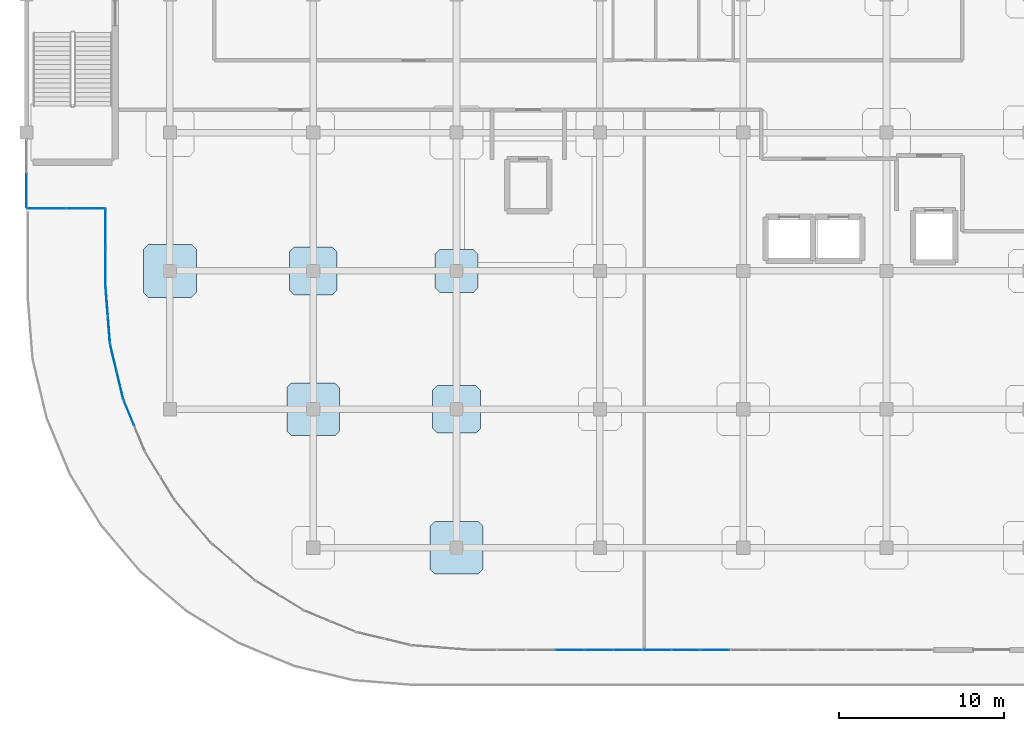
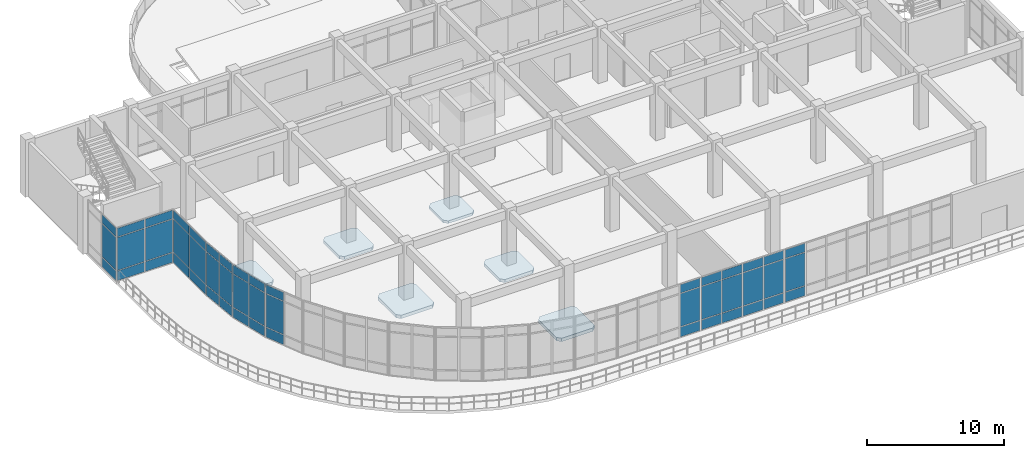
# One storey, part 91 of 124: 48 plates, 6 slabs, 9 elements without a shape of their own.
"""IFC4 building model written with IfcOpenShell, lengths in metres."""

from ifc_helpers import new_model, si_unit, derived_unit, direction, frame, origin, origin_2d, place, context, subcontext, project, spatial, polyline, rectangle, outline, extrude, material, layer, layer_set, type_object, element, aggregate, save


model = new_model("IFC4")

# Units and contexts
model_context = context("Model", 3, precision=1e-05, world=origin(), true_north=direction((0.0, 1.0)))
body_context = subcontext(model_context, "Body", "Model", "MODEL_VIEW")
ifc_project = project(units=[si_unit("LENGTHUNIT", "METRE"), si_unit("AREAUNIT", "SQUARE_METRE"), si_unit("VOLUMEUNIT", "CUBIC_METRE"), si_unit("PLANEANGLEUNIT", "RADIAN"), si_unit("MASSUNIT", "GRAM", prefix="KILO"), derived_unit("THERMALTRANSMITTANCEUNIT", [(si_unit("MASSUNIT", "GRAM", prefix="KILO"), 1), (si_unit("TIMEUNIT", "SECOND"), -3), (si_unit("THERMODYNAMICTEMPERATUREUNIT", "KELVIN"), -1)])], contexts=[model_context])

# Site, building, storey
site_placement = place(None, origin())
site = spatial("IfcSite", under=ifc_project, at=site_placement, CompositionType="ELEMENT")
building_placement = place(site_placement, origin())
building = spatial("IfcBuilding", under=site, at=building_placement, Name="Qinzheling Arcade Emporium", CompositionType="ELEMENT")
storey_placement = place(building_placement, frame((0.0, 0.0, 16.5)))
storey = spatial("IfcBuildingStorey", under=building, at=storey_placement, Name="L04", CompositionType="ELEMENT", Elevation=16.5)

# Slabs
ifc_material_1 = material(Name="Concrete C40", Category="concrete")
ifc_layer_1 = layer(ifc_material_1, 0.235107421875, Name="Concrete C40", Category="concrete")
ifc_layer_set_1 = layer_set([ifc_layer_1], Name="Concrete C40")
slab_type_1 = type_object("IfcSlabType", Name="Column Head Drop Panel 2600x2600x235 C40", PredefinedType="USERDEFINED", material=ifc_layer_set_1)
slab_1_placement = place(storey_placement, frame((0.0, 0.0, -0.514892578125)))
element("IfcSlab", 1, at=slab_1_placement, inside=storey, type_object=slab_type_1, Name="Column Drop Panel DP-L04-4-D", ObjectType="DROP_PANEL", PredefinedType="USERDEFINED", context=body_context, shape_type="SweptSolid", body=[
    extrude(outline(polyline([(25.080078125, 23.89990234375), (27.1201171875, 23.89990234375), (27.39990234375, 24.179931640625), (27.39990234375, 26.219970703125), (27.1201171875, 26.5), (25.080078125, 26.5), (24.800048828125, 26.219970703125), (24.800048828125, 24.179931640625), (25.080078125, 23.89990234375)])), origin(), (0.0, 0.0, 1.0), 0.23486328125),
])
ifc_layer_2 = layer(ifc_material_1, 0.27001953125, Name="Concrete C40", Category="concrete")
ifc_layer_set_2 = layer_set([ifc_layer_2], Name="Concrete C40")
slab_type_2 = type_object("IfcSlabType", Name="Column Head Drop Panel 2900x2900x270 C40", PredefinedType="USERDEFINED", material=ifc_layer_set_2)
slab_2_placement = place(storey_placement, frame((0.0, 0.0, -0.550048828125)))
element("IfcSlab", 2, at=slab_2_placement, inside=storey, type_object=slab_type_2, Name="Column Drop Panel DP-L04-3-D", ObjectType="DROP_PANEL", PredefinedType="USERDEFINED", context=body_context, shape_type="SweptSolid", body=[
    extrude(outline(polyline([(16.22998046875, 23.75), (18.570068359375, 23.75), (18.85009765625, 24.030029296875), (18.85009765625, 26.3701171875), (18.570068359375, 26.64990234375), (16.22998046875, 26.64990234375), (15.949951171875, 26.3701171875), (15.949951171875, 24.030029296875), (16.22998046875, 23.75)])), origin(), (0.0, 0.0, 1.0), 0.27001953125),
])
slab_3_placement = place(storey_placement, frame((0.0, 0.0, -0.550048828125)))
element("IfcSlab", 3, at=slab_3_placement, inside=storey, type_object=slab_type_2, Name="Column Drop Panel DP-L04-4-C", ObjectType="DROP_PANEL", PredefinedType="USERDEFINED", context=body_context, shape_type="SweptSolid", body=[
    extrude(outline(polyline([(24.929931640625, 15.35009765625), (27.27001953125, 15.35009765625), (27.550048828125, 15.6298828125), (27.550048828125, 17.969970703125), (27.27001953125, 18.25), (24.929931640625, 18.25), (24.64990234375, 17.969970703125), (24.64990234375, 15.6298828125), (24.929931640625, 15.35009765625)])), origin(), (0.0, 0.0, 1.0), 0.27001953125),
])
ifc_layer_3 = layer(ifc_material_1, 0.300048828125, Name="Concrete C40", Category="concrete")
ifc_layer_set_3 = layer_set([ifc_layer_3], Name="Concrete C40")
slab_type_3 = type_object("IfcSlabType", Name="Column Head Drop Panel 3200x3200x300 C40", PredefinedType="USERDEFINED", material=ifc_layer_set_3)
slab_4_placement = place(storey_placement, frame((0.0, 0.0, -0.580078125)))
element("IfcSlab", 4, at=slab_4_placement, inside=storey, type_object=slab_type_3, Name="Column Drop Panel DP-L04-2-D", ObjectType="DROP_PANEL", PredefinedType="USERDEFINED", context=body_context, shape_type="SweptSolid", body=[
    extrude(outline(polyline([(7.3798828125, 23.60009765625), (10.02001953125, 23.60009765625), (10.300048828125, 23.8798828125), (10.300048828125, 26.52001953125), (10.02001953125, 26.800048828125), (7.3798828125, 26.800048828125), (7.10009765625, 26.52001953125), (7.10009765625, 23.8798828125), (7.3798828125, 23.60009765625)])), origin(), (0.0, 0.0, 1.0), 0.300048828125),
])
slab_5_placement = place(storey_placement, frame((0.0, 0.0, -0.580078125)))
element("IfcSlab", 5, at=slab_5_placement, inside=storey, type_object=slab_type_3, Name="Column Drop Panel DP-L04-3-C", ObjectType="DROP_PANEL", PredefinedType="USERDEFINED", context=body_context, shape_type="SweptSolid", body=[
    extrude(outline(polyline([(16.080078125, 15.199951171875), (18.719970703125, 15.199951171875), (19.0, 15.47998046875), (19.0, 18.1201171875), (18.719970703125, 18.39990234375), (16.080078125, 18.39990234375), (15.800048828125, 18.1201171875), (15.800048828125, 15.47998046875), (16.080078125, 15.199951171875)])), origin(), (0.0, 0.0, 1.0), 0.300048828125),
])
slab_6_placement = place(storey_placement, frame((0.0, 0.0, -0.580078125)))
element("IfcSlab", 6, at=slab_6_placement, inside=storey, type_object=slab_type_3, Name="Column Drop Panel DP-L04-4-B", ObjectType="DROP_PANEL", PredefinedType="USERDEFINED", context=body_context, shape_type="SweptSolid", body=[
    extrude(outline(polyline([(24.780029296875, 6.800048828125), (27.419921875, 6.800048828125), (27.699951171875, 7.080078125), (27.699951171875, 9.719970703125), (27.419921875, 10.0), (24.780029296875, 10.0), (24.5, 9.719970703125), (24.5, 7.080078125), (24.780029296875, 6.800048828125)])), origin(), (0.0, 0.0, 1.0), 0.300048828125),
])

# Curtain wall, plates
ifc_material_2 = material(Name="Anodised aluminium and solar-control double glazing", Category="aluminium")
ifc_layer_4 = layer(ifc_material_2, 0.159912109375, Name="Anodised aluminium and solar-control double glazing", Category="aluminium")
ifc_layer_set_4 = layer_set([ifc_layer_4], Name="Anodised aluminium and solar-control double glazing")
curtain_wall_type_1 = type_object("IfcCurtainWallType", Name="Arcade Portal Glazed Curtain Wall", PredefinedType="NOTDEFINED", material=ifc_layer_set_4)
curtain_wall_1_placement = place(storey_placement, origin())
curtain_wall_1 = element("IfcCurtainWall", 7, at=curtain_wall_1_placement, inside=storey, type_object=curtain_wall_type_1, Name="Curtain Wall CW-L04-237", PredefinedType="NOTDEFINED")
ifc_material_3 = material(Name="Laminated solar-control double glazing", Category="glass")
ifc_layer_5 = layer(ifc_material_3, 0.02099609375, Name="Laminated solar-control double glazing", Category="glass")
ifc_layer_set_5 = layer_set([ifc_layer_5], Name="Laminated solar-control double glazing")
plate_type_1 = type_object("IfcPlateType", Name="Low-E Double Glazed Curtain Panel 21mm", PredefinedType="CURTAIN_PANEL", material=ifc_layer_set_5)
plate_1_placement = place(storey_placement, frame((0.0, 30.064453125, 0.06005859375), z_axis=(0.0, 0.0, 1.0), x_axis=(0.0, 1.0, 0.0)))
plate_1 = element("IfcPlate", 8, at=plate_1_placement, type_object=plate_type_1, Name="CW05 panel 1.1", PredefinedType="CURTAIN_PANEL", context=body_context, shape_type="SweptSolid", body=[
    extrude(rectangle(XDim=2.009033203125, YDim=0.02099609375, at=origin_2d()), origin(), (0.0, 0.0, 1.0), 0.860107421875),
])
plate_2_placement = place(storey_placement, frame((0.0, 30.064453125, 0.97998046875), z_axis=(0.0, 0.0, 1.0), x_axis=(0.0, 1.0, 0.0)))
plate_2 = element("IfcPlate", 9, at=plate_2_placement, type_object=plate_type_1, Name="CW05 panel 1.2", PredefinedType="CURTAIN_PANEL", context=body_context, shape_type="SweptSolid", body=[
    extrude(rectangle(XDim=2.009033203125, YDim=0.02099609375, at=origin_2d()), origin(), (0.0, 0.0, 1.0), 2.929931640625),
])
plate_3_placement = place(storey_placement, frame((0.0, 30.064453125, 3.97021484375), z_axis=(0.0, 0.0, 1.0), x_axis=(0.0, 1.0, 0.0)))
plate_3 = element("IfcPlate", 10, at=plate_3_placement, type_object=plate_type_1, Name="CW05 panel 1.3", PredefinedType="CURTAIN_PANEL", context=body_context, shape_type="SweptSolid", body=[
    extrude(rectangle(XDim=2.009033203125, YDim=0.02099609375, at=origin_2d()), origin(), (0.0, 0.0, 1.0), 0.760009765625),
])
aggregate(curtain_wall_1, [plate_1, plate_2, plate_3])

curtain_wall_2_placement = place(storey_placement, origin())
curtain_wall_2 = element("IfcCurtainWall", 11, at=curtain_wall_2_placement, inside=storey, type_object=curtain_wall_type_1, Name="Curtain Wall CW-L04-222", PredefinedType="NOTDEFINED")
ifc_layer_6 = layer(ifc_material_3, 0.02197265625, Name="Laminated solar-control double glazing", Category="glass")
ifc_layer_set_6 = layer_set([ifc_layer_6], Name="Laminated solar-control double glazing")
plate_type_2 = type_object("IfcPlateType", Name="Low-E Double Glazed Curtain Panel 22mm", PredefinedType="CURTAIN_PANEL", material=ifc_layer_set_6)
plate_4_placement = place(storey_placement, frame((41.819091796875, 2.199951171875, 0.06005859375), z_axis=(0.0, 0.0, 1.0), x_axis=(-1.0, 0.0, 0.0)))
plate_4 = element("IfcPlate", 12, at=plate_4_placement, type_object=plate_type_2, Name="CW05 panel 4.1", PredefinedType="CURTAIN_PANEL", context=body_context, shape_type="SweptSolid", body=[
    extrude(rectangle(XDim=1.674072265625, YDim=0.02197265625, at=origin_2d()), origin(), (0.0, 0.0, 1.0), 0.860107421875),
])
plate_5_placement = place(storey_placement, frame((41.819091796875, 2.199951171875, 0.97998046875), z_axis=(0.0, 0.0, 1.0), x_axis=(-1.0, 0.0, 0.0)))
plate_5 = element("IfcPlate", 13, at=plate_5_placement, type_object=plate_type_2, Name="CW05 panel 4.2", PredefinedType="CURTAIN_PANEL", context=body_context, shape_type="SweptSolid", body=[
    extrude(rectangle(XDim=1.674072265625, YDim=0.02197265625, at=origin_2d()), origin(), (0.0, 0.0, 1.0), 2.929931640625),
])
plate_6_placement = place(storey_placement, frame((41.819091796875, 2.199951171875, 3.97021484375), z_axis=(0.0, 0.0, 1.0), x_axis=(-1.0, 0.0, 0.0)))
plate_6 = element("IfcPlate", 14, at=plate_6_placement, type_object=plate_type_2, Name="CW05 panel 4.3", PredefinedType="CURTAIN_PANEL", context=body_context, shape_type="SweptSolid", body=[
    extrude(rectangle(XDim=1.674072265625, YDim=0.02197265625, at=origin_2d()), origin(), (0.0, 0.0, 1.0), 0.760009765625),
])
aggregate(curtain_wall_2, [plate_4, plate_5, plate_6])

curtain_wall_3_placement = place(storey_placement, origin())
curtain_wall_3 = element("IfcCurtainWall", 15, at=curtain_wall_3_placement, inside=storey, type_object=curtain_wall_type_1, Name="Curtain Wall CW-L04-223", PredefinedType="NOTDEFINED")
ifc_layer_7 = layer(ifc_material_3, 0.02392578125, Name="Laminated solar-control double glazing", Category="glass")
ifc_layer_set_7 = layer_set([ifc_layer_7], Name="Laminated solar-control double glazing")
plate_type_3 = type_object("IfcPlateType", Name="Low-E Double Glazed Curtain Panel 24mm", PredefinedType="CURTAIN_PANEL", material=ifc_layer_set_7)
plate_7_placement = place(storey_placement, frame((40.02099609375, 2.199951171875, 0.06005859375), z_axis=(0.0, 0.0, 1.0), x_axis=(-1.0, 0.0, 0.0)))
plate_7 = element("IfcPlate", 16, at=plate_7_placement, type_object=plate_type_3, Name="CW05 panel 1.1", PredefinedType="CURTAIN_PANEL", context=body_context, shape_type="SweptSolid", body=[
    extrude(rectangle(XDim=1.674072265625, YDim=0.02392578125, at=origin_2d()), origin(), (0.0, 0.0, 1.0), 0.860107421875),
])
plate_8_placement = place(storey_placement, frame((40.02099609375, 2.199951171875, 0.97998046875), z_axis=(0.0, 0.0, 1.0), x_axis=(-1.0, 0.0, 0.0)))
plate_8 = element("IfcPlate", 17, at=plate_8_placement, type_object=plate_type_3, Name="CW05 panel 1.2", PredefinedType="CURTAIN_PANEL", context=body_context, shape_type="SweptSolid", body=[
    extrude(rectangle(XDim=1.674072265625, YDim=0.02392578125, at=origin_2d()), origin(), (0.0, 0.0, 1.0), 2.929931640625),
])
plate_9_placement = place(storey_placement, frame((40.02099609375, 2.199951171875, 3.97021484375), z_axis=(0.0, 0.0, 1.0), x_axis=(-1.0, 0.0, 0.0)))
plate_9 = element("IfcPlate", 18, at=plate_9_placement, type_object=plate_type_3, Name="CW05 panel 1.3", PredefinedType="CURTAIN_PANEL", context=body_context, shape_type="SweptSolid", body=[
    extrude(rectangle(XDim=1.674072265625, YDim=0.02392578125, at=origin_2d()), origin(), (0.0, 0.0, 1.0), 0.760009765625),
])
plate_10_placement = place(storey_placement, frame((38.27197265625, 2.199951171875, 0.06005859375), z_axis=(0.0, 0.0, 1.0), x_axis=(-1.0, 0.0, 0.0)))
plate_10 = element("IfcPlate", 19, at=plate_10_placement, type_object=plate_type_3, Name="CW05 panel 2.1", PredefinedType="CURTAIN_PANEL", context=body_context, shape_type="SweptSolid", body=[
    extrude(rectangle(XDim=1.7041015625, YDim=0.02392578125, at=origin_2d()), origin(), (0.0, 0.0, 1.0), 0.860107421875),
])
plate_11_placement = place(storey_placement, frame((38.27197265625, 2.199951171875, 0.97998046875), z_axis=(0.0, 0.0, 1.0), x_axis=(-1.0, 0.0, 0.0)))
plate_11 = element("IfcPlate", 20, at=plate_11_placement, type_object=plate_type_3, Name="CW05 panel 2.2", PredefinedType="CURTAIN_PANEL", context=body_context, shape_type="SweptSolid", body=[
    extrude(rectangle(XDim=1.7041015625, YDim=0.02392578125, at=origin_2d()), origin(), (0.0, 0.0, 1.0), 2.929931640625),
])
plate_12_placement = place(storey_placement, frame((38.27197265625, 2.199951171875, 3.97021484375), z_axis=(0.0, 0.0, 1.0), x_axis=(-1.0, 0.0, 0.0)))
plate_12 = element("IfcPlate", 21, at=plate_12_placement, type_object=plate_type_3, Name="CW05 panel 2.3", PredefinedType="CURTAIN_PANEL", context=body_context, shape_type="SweptSolid", body=[
    extrude(rectangle(XDim=1.7041015625, YDim=0.02392578125, at=origin_2d()), origin(), (0.0, 0.0, 1.0), 0.760009765625),
])
plate_13_placement = place(storey_placement, frame((36.508056640625, 2.199951171875, 0.06005859375), z_axis=(0.0, 0.0, 1.0), x_axis=(-1.0, 0.0, 0.0)))
plate_13 = element("IfcPlate", 22, at=plate_13_placement, type_object=plate_type_3, Name="CW05 panel 3.1", PredefinedType="CURTAIN_PANEL", context=body_context, shape_type="SweptSolid", body=[
    extrude(rectangle(XDim=1.7041015625, YDim=0.02392578125, at=origin_2d()), origin(), (0.0, 0.0, 1.0), 0.860107421875),
])
plate_14_placement = place(storey_placement, frame((36.508056640625, 2.199951171875, 0.97998046875), z_axis=(0.0, 0.0, 1.0), x_axis=(-1.0, 0.0, 0.0)))
plate_14 = element("IfcPlate", 23, at=plate_14_placement, type_object=plate_type_3, Name="CW05 panel 3.2", PredefinedType="CURTAIN_PANEL", context=body_context, shape_type="SweptSolid", body=[
    extrude(rectangle(XDim=1.7041015625, YDim=0.02392578125, at=origin_2d()), origin(), (0.0, 0.0, 1.0), 2.929931640625),
])
plate_15_placement = place(storey_placement, frame((36.508056640625, 2.199951171875, 3.97021484375), z_axis=(0.0, 0.0, 1.0), x_axis=(-1.0, 0.0, 0.0)))
plate_15 = element("IfcPlate", 24, at=plate_15_placement, type_object=plate_type_3, Name="CW05 panel 3.3", PredefinedType="CURTAIN_PANEL", context=body_context, shape_type="SweptSolid", body=[
    extrude(rectangle(XDim=1.7041015625, YDim=0.02392578125, at=origin_2d()), origin(), (0.0, 0.0, 1.0), 0.760009765625),
])
plate_16_placement = place(storey_placement, frame((34.759033203125, 2.199951171875, 0.06005859375), z_axis=(0.0, 0.0, 1.0), x_axis=(-1.0, 0.0, 0.0)))
plate_16 = element("IfcPlate", 25, at=plate_16_placement, type_object=plate_type_3, Name="CW05 panel 4.1", PredefinedType="CURTAIN_PANEL", context=body_context, shape_type="SweptSolid", body=[
    extrude(rectangle(XDim=1.674072265625, YDim=0.02392578125, at=origin_2d()), origin(), (0.0, 0.0, 1.0), 0.860107421875),
])
plate_17_placement = place(storey_placement, frame((34.759033203125, 2.199951171875, 0.97998046875), z_axis=(0.0, 0.0, 1.0), x_axis=(-1.0, 0.0, 0.0)))
plate_17 = element("IfcPlate", 26, at=plate_17_placement, type_object=plate_type_3, Name="CW05 panel 4.2", PredefinedType="CURTAIN_PANEL", context=body_context, shape_type="SweptSolid", body=[
    extrude(rectangle(XDim=1.674072265625, YDim=0.02392578125, at=origin_2d()), origin(), (0.0, 0.0, 1.0), 2.929931640625),
])
plate_18_placement = place(storey_placement, frame((34.759033203125, 2.199951171875, 3.97021484375), z_axis=(0.0, 0.0, 1.0), x_axis=(-1.0, 0.0, 0.0)))
plate_18 = element("IfcPlate", 27, at=plate_18_placement, type_object=plate_type_3, Name="CW05 panel 4.3", PredefinedType="CURTAIN_PANEL", context=body_context, shape_type="SweptSolid", body=[
    extrude(rectangle(XDim=1.674072265625, YDim=0.02392578125, at=origin_2d()), origin(), (0.0, 0.0, 1.0), 0.760009765625),
])
aggregate(curtain_wall_3, [plate_7, plate_8, plate_9, plate_10, plate_11, plate_12, plate_13, plate_14, plate_15, plate_16, plate_17, plate_18])

curtain_wall_4_placement = place(storey_placement, origin())
curtain_wall_4 = element("IfcCurtainWall", 28, at=curtain_wall_4_placement, inside=storey, type_object=curtain_wall_type_1, Name="Curtain Wall CW-L04-224", PredefinedType="NOTDEFINED")
ifc_layer_8 = layer(ifc_material_3, 0.02490234375, Name="Laminated solar-control double glazing", Category="glass")
ifc_layer_set_8 = layer_set([ifc_layer_8], Name="Laminated solar-control double glazing")
plate_type_4 = type_object("IfcPlateType", Name="Low-E Double Glazed Curtain Panel 25mm", PredefinedType="CURTAIN_PANEL", material=ifc_layer_set_8)
plate_19_placement = place(storey_placement, frame((32.960693359375, 2.199951171875, 0.06005859375), z_axis=(0.0, 0.0, 1.0), x_axis=(-1.0, 0.0, 0.0)))
plate_19 = element("IfcPlate", 29, at=plate_19_placement, type_object=plate_type_4, Name="CW05 panel 1.1", PredefinedType="CURTAIN_PANEL", context=body_context, shape_type="SweptSolid", body=[
    extrude(rectangle(XDim=1.674560546875, YDim=0.02490234375, at=origin_2d()), origin(), (0.0, 0.0, 1.0), 0.860107421875),
])
plate_20_placement = place(storey_placement, frame((32.960693359375, 2.199951171875, 0.97998046875), z_axis=(0.0, 0.0, 1.0), x_axis=(-1.0, 0.0, 0.0)))
plate_20 = element("IfcPlate", 30, at=plate_20_placement, type_object=plate_type_4, Name="CW05 panel 1.2", PredefinedType="CURTAIN_PANEL", context=body_context, shape_type="SweptSolid", body=[
    extrude(rectangle(XDim=1.674560546875, YDim=0.02490234375, at=origin_2d()), origin(), (0.0, 0.0, 1.0), 2.929931640625),
])
plate_21_placement = place(storey_placement, frame((32.960693359375, 2.199951171875, 3.97021484375), z_axis=(0.0, 0.0, 1.0), x_axis=(-1.0, 0.0, 0.0)))
plate_21 = element("IfcPlate", 31, at=plate_21_placement, type_object=plate_type_4, Name="CW05 panel 1.3", PredefinedType="CURTAIN_PANEL", context=body_context, shape_type="SweptSolid", body=[
    extrude(rectangle(XDim=1.674560546875, YDim=0.02490234375, at=origin_2d()), origin(), (0.0, 0.0, 1.0), 0.760009765625),
])
aggregate(curtain_wall_4, [plate_19, plate_20, plate_21])

ifc_layer_9 = layer(ifc_material_2, 0.159912109375, Name="Anodised aluminium and solar-control double glazing", Category="aluminium")
ifc_layer_set_9 = layer_set([ifc_layer_9], Name="Anodised aluminium and solar-control double glazing")
curtain_wall_type_2 = type_object("IfcCurtainWallType", Name="Curved Ribbon Sales Curtain Wall", PredefinedType="NOTDEFINED", material=ifc_layer_set_9)
curtain_wall_5_placement = place(storey_placement, origin())
curtain_wall_5 = element("IfcCurtainWall", 32, at=curtain_wall_5_placement, inside=storey, type_object=curtain_wall_type_2, Name="Curtain Wall CW-L04-232", PredefinedType="NOTDEFINED")
ifc_layer_10 = layer(ifc_material_3, 0.033935546875, Name="Laminated solar-control double glazing", Category="glass")
ifc_layer_set_10 = layer_set([ifc_layer_10], Name="Laminated solar-control double glazing")
plate_type_5 = type_object("IfcPlateType", Name="Low-E Double Glazed Curtain Panel 34mm", PredefinedType="CURTAIN_PANEL", material=ifc_layer_set_10)
plate_22_placement = place(storey_placement, frame((6.212890625, 16.590576171875, 0.06005859375), z_axis=(0.0, 0.0, 1.0), x_axis=(-0.382599065793, 0.923914473777, 0.0)))
plate_22 = element("IfcPlate", 33, at=plate_22_placement, type_object=plate_type_5, Name="CW02 panel 2.1", PredefinedType="CURTAIN_PANEL", context=body_context, shape_type="SweptSolid", body=[
    extrude(rectangle(XDim=1.63623046875, YDim=0.033935546875, at=origin_2d()), origin(), (0.0, 0.0, 1.0), 0.860107421875),
])
plate_23_placement = place(storey_placement, frame((6.212890625, 16.590576171875, 0.97998046875), z_axis=(0.0, 0.0, 1.0), x_axis=(-0.382599065793, 0.923914473777, 0.0)))
plate_23 = element("IfcPlate", 34, at=plate_23_placement, type_object=plate_type_5, Name="CW02 panel 2.2", PredefinedType="CURTAIN_PANEL", context=body_context, shape_type="SweptSolid", body=[
    extrude(rectangle(XDim=1.63623046875, YDim=0.033935546875, at=origin_2d()), origin(), (0.0, 0.0, 1.0), 2.929931640625),
])
plate_24_placement = place(storey_placement, frame((6.212890625, 16.590576171875, 3.97021484375), z_axis=(0.0, 0.0, 1.0), x_axis=(-0.382599065793, 0.923914473777, 0.0)))
plate_24 = element("IfcPlate", 35, at=plate_24_placement, type_object=plate_type_5, Name="CW02 panel 2.3", PredefinedType="CURTAIN_PANEL", context=body_context, shape_type="SweptSolid", body=[
    extrude(rectangle(XDim=1.63623046875, YDim=0.033935546875, at=origin_2d()), origin(), (0.0, 0.0, 1.0), 0.760009765625),
])
aggregate(curtain_wall_5, [plate_22, plate_23, plate_24])

curtain_wall_6_placement = place(storey_placement, origin())
curtain_wall_6 = element("IfcCurtainWall", 36, at=curtain_wall_6_placement, inside=storey, type_object=curtain_wall_type_2, Name="Curtain Wall CW-L04-233", PredefinedType="NOTDEFINED")
ifc_layer_11 = layer(ifc_material_3, 0.035888671875, Name="Laminated solar-control double glazing", Category="glass")
ifc_layer_set_11 = layer_set([ifc_layer_11], Name="Laminated solar-control double glazing")
plate_type_6 = type_object("IfcPlateType", Name="Low-E Double Glazed Curtain Panel 36mm", PredefinedType="CURTAIN_PANEL", material=ifc_layer_set_11)
plate_25_placement = place(storey_placement, frame((5.672119140625, 18.255615234375, 0.06005859375), z_axis=(0.0, 0.0, 1.0), x_axis=(-0.23352636444, 0.97235047031, 0.0)))
plate_25 = element("IfcPlate", 37, at=plate_25_placement, type_object=plate_type_6, Name="CW02 panel 1.1", PredefinedType="CURTAIN_PANEL", context=body_context, shape_type="SweptSolid", body=[
    extrude(rectangle(XDim=1.6357421875, YDim=0.035888671875, at=origin_2d()), origin(), (0.0, 0.0, 1.0), 0.860107421875),
])
plate_26_placement = place(storey_placement, frame((5.672119140625, 18.255615234375, 0.97998046875), z_axis=(0.0, 0.0, 1.0), x_axis=(-0.23352636444, 0.97235047031, 0.0)))
plate_26 = element("IfcPlate", 38, at=plate_26_placement, type_object=plate_type_6, Name="CW02 panel 1.2", PredefinedType="CURTAIN_PANEL", context=body_context, shape_type="SweptSolid", body=[
    extrude(rectangle(XDim=1.6357421875, YDim=0.035888671875, at=origin_2d()), origin(), (0.0, 0.0, 1.0), 2.929931640625),
])
plate_27_placement = place(storey_placement, frame((5.672119140625, 18.255615234375, 3.97021484375), z_axis=(0.0, 0.0, 1.0), x_axis=(-0.23352636444, 0.97235047031, 0.0)))
plate_27 = element("IfcPlate", 39, at=plate_27_placement, type_object=plate_type_6, Name="CW02 panel 1.3", PredefinedType="CURTAIN_PANEL", context=body_context, shape_type="SweptSolid", body=[
    extrude(rectangle(XDim=1.6357421875, YDim=0.035888671875, at=origin_2d()), origin(), (0.0, 0.0, 1.0), 0.760009765625),
])
plate_28_placement = place(storey_placement, frame((5.276123046875, 19.904296875, 0.06005859375), z_axis=(0.0, 0.0, 1.0), x_axis=(-0.23352636444, 0.97235047031, 0.0)))
plate_28 = element("IfcPlate", 40, at=plate_28_placement, type_object=plate_type_6, Name="CW02 panel 2.1", PredefinedType="CURTAIN_PANEL", context=body_context, shape_type="SweptSolid", body=[
    extrude(rectangle(XDim=1.6357421875, YDim=0.035888671875, at=origin_2d()), origin(), (0.0, 0.0, 1.0), 0.860107421875),
])
plate_29_placement = place(storey_placement, frame((5.276123046875, 19.904296875, 0.97998046875), z_axis=(0.0, 0.0, 1.0), x_axis=(-0.23352636444, 0.97235047031, 0.0)))
plate_29 = element("IfcPlate", 41, at=plate_29_placement, type_object=plate_type_6, Name="CW02 panel 2.2", PredefinedType="CURTAIN_PANEL", context=body_context, shape_type="SweptSolid", body=[
    extrude(rectangle(XDim=1.6357421875, YDim=0.035888671875, at=origin_2d()), origin(), (0.0, 0.0, 1.0), 2.929931640625),
])
plate_30_placement = place(storey_placement, frame((5.276123046875, 19.904296875, 3.97021484375), z_axis=(0.0, 0.0, 1.0), x_axis=(-0.23352636444, 0.97235047031, 0.0)))
plate_30 = element("IfcPlate", 42, at=plate_30_placement, type_object=plate_type_6, Name="CW02 panel 2.3", PredefinedType="CURTAIN_PANEL", context=body_context, shape_type="SweptSolid", body=[
    extrude(rectangle(XDim=1.6357421875, YDim=0.035888671875, at=origin_2d()), origin(), (0.0, 0.0, 1.0), 0.760009765625),
])
aggregate(curtain_wall_6, [plate_25, plate_26, plate_27, plate_28, plate_29, plate_30])

curtain_wall_7_placement = place(storey_placement, origin())
curtain_wall_7 = element("IfcCurtainWall", 43, at=curtain_wall_7_placement, inside=storey, type_object=curtain_wall_type_2, Name="Curtain Wall CW-L04-234", PredefinedType="NOTDEFINED")
ifc_layer_12 = layer(ifc_material_3, 0.0380859375, Name="Laminated solar-control double glazing", Category="glass")
ifc_layer_set_12 = layer_set([ifc_layer_12], Name="Laminated solar-control double glazing")
plate_type_7 = type_object("IfcPlateType", Name="Low-E Double Glazed Curtain Panel 38mm", PredefinedType="CURTAIN_PANEL", material=ifc_layer_set_12)
plate_31_placement = place(storey_placement, frame((5.001953125, 21.633544921875, 0.06005859375), z_axis=(0.0, 0.0, 1.0), x_axis=(-0.078490392152, 0.996914870157, 0.0)))
plate_31 = element("IfcPlate", 44, at=plate_31_placement, type_object=plate_type_7, Name="CW02 panel 1.1", PredefinedType="CURTAIN_PANEL", context=body_context, shape_type="SweptSolid", body=[
    extrude(rectangle(XDim=1.63623046875, YDim=0.0380859375, at=origin_2d()), origin(), (0.0, 0.0, 1.0), 0.860107421875),
])
plate_32_placement = place(storey_placement, frame((5.001953125, 21.633544921875, 0.97998046875), z_axis=(0.0, 0.0, 1.0), x_axis=(-0.078490392152, 0.996914870157, 0.0)))
plate_32 = element("IfcPlate", 45, at=plate_32_placement, type_object=plate_type_7, Name="CW02 panel 1.2", PredefinedType="CURTAIN_PANEL", context=body_context, shape_type="SweptSolid", body=[
    extrude(rectangle(XDim=1.63623046875, YDim=0.0380859375, at=origin_2d()), origin(), (0.0, 0.0, 1.0), 2.929931640625),
])
plate_33_placement = place(storey_placement, frame((5.001953125, 21.633544921875, 3.97021484375), z_axis=(0.0, 0.0, 1.0), x_axis=(-0.078490392152, 0.996914870157, 0.0)))
plate_33 = element("IfcPlate", 46, at=plate_33_placement, type_object=plate_type_7, Name="CW02 panel 1.3", PredefinedType="CURTAIN_PANEL", context=body_context, shape_type="SweptSolid", body=[
    extrude(rectangle(XDim=1.63623046875, YDim=0.0380859375, at=origin_2d()), origin(), (0.0, 0.0, 1.0), 0.760009765625),
])
plate_34_placement = place(storey_placement, frame((4.868896484375, 23.324462890625, 0.06005859375), z_axis=(0.0, 0.0, 1.0), x_axis=(-0.078490392152, 0.996914870157, 0.0)))
plate_34 = element("IfcPlate", 47, at=plate_34_placement, type_object=plate_type_7, Name="CW02 panel 2.1", PredefinedType="CURTAIN_PANEL", context=body_context, shape_type="SweptSolid", body=[
    extrude(rectangle(XDim=1.63623046875, YDim=0.0380859375, at=origin_2d()), origin(), (0.0, 0.0, 1.0), 0.860107421875),
])
plate_35_placement = place(storey_placement, frame((4.868896484375, 23.324462890625, 0.97998046875), z_axis=(0.0, 0.0, 1.0), x_axis=(-0.078490392152, 0.996914870157, 0.0)))
plate_35 = element("IfcPlate", 48, at=plate_35_placement, type_object=plate_type_7, Name="CW02 panel 2.2", PredefinedType="CURTAIN_PANEL", context=body_context, shape_type="SweptSolid", body=[
    extrude(rectangle(XDim=1.63623046875, YDim=0.0380859375, at=origin_2d()), origin(), (0.0, 0.0, 1.0), 2.929931640625),
])
plate_36_placement = place(storey_placement, frame((4.868896484375, 23.324462890625, 3.97021484375), z_axis=(0.0, 0.0, 1.0), x_axis=(-0.078490392152, 0.996914870157, 0.0)))
plate_36 = element("IfcPlate", 49, at=plate_36_placement, type_object=plate_type_7, Name="CW02 panel 2.3", PredefinedType="CURTAIN_PANEL", context=body_context, shape_type="SweptSolid", body=[
    extrude(rectangle(XDim=1.63623046875, YDim=0.0380859375, at=origin_2d()), origin(), (0.0, 0.0, 1.0), 0.760009765625),
])
aggregate(curtain_wall_7, [plate_31, plate_32, plate_33, plate_34, plate_35, plate_36])

curtain_wall_8_placement = place(storey_placement, origin())
curtain_wall_8 = element("IfcCurtainWall", 50, at=curtain_wall_8_placement, inside=storey, type_object=curtain_wall_type_1, Name="Curtain Wall CW-L04-235", PredefinedType="NOTDEFINED")
ifc_layer_13 = layer(ifc_material_3, 0.0400390625, Name="Laminated solar-control double glazing", Category="glass")
ifc_layer_set_13 = layer_set([ifc_layer_13], Name="Laminated solar-control double glazing")
plate_type_8 = type_object("IfcPlateType", Name="Low-E Double Glazed Curtain Panel 40mm", PredefinedType="CURTAIN_PANEL", material=ifc_layer_set_13)
plate_37_placement = place(storey_placement, frame((4.800048828125, 25.4150390625, 0.06005859375), z_axis=(0.0, 0.0, 1.0), x_axis=(0.0, 1.0, 0.0)))
plate_37 = element("IfcPlate", 51, at=plate_37_placement, type_object=plate_type_8, Name="CW05 panel 1.1", PredefinedType="CURTAIN_PANEL", context=body_context, shape_type="SweptSolid", body=[
    extrude(rectangle(XDim=2.31005859375, YDim=0.0400390625, at=origin_2d()), origin(), (0.0, 0.0, 1.0), 0.860107421875),
])
plate_38_placement = place(storey_placement, frame((4.800048828125, 25.4150390625, 0.97998046875), z_axis=(0.0, 0.0, 1.0), x_axis=(0.0, 1.0, 0.0)))
plate_38 = element("IfcPlate", 52, at=plate_38_placement, type_object=plate_type_8, Name="CW05 panel 1.2", PredefinedType="CURTAIN_PANEL", context=body_context, shape_type="SweptSolid", body=[
    extrude(rectangle(XDim=2.31005859375, YDim=0.0400390625, at=origin_2d()), origin(), (0.0, 0.0, 1.0), 2.929931640625),
])
plate_39_placement = place(storey_placement, frame((4.800048828125, 25.4150390625, 3.97021484375), z_axis=(0.0, 0.0, 1.0), x_axis=(0.0, 1.0, 0.0)))
plate_39 = element("IfcPlate", 53, at=plate_39_placement, type_object=plate_type_8, Name="CW05 panel 1.3", PredefinedType="CURTAIN_PANEL", context=body_context, shape_type="SweptSolid", body=[
    extrude(rectangle(XDim=2.31005859375, YDim=0.0400390625, at=origin_2d()), origin(), (0.0, 0.0, 1.0), 0.760009765625),
])
plate_40_placement = place(storey_placement, frame((4.800048828125, 27.784912109375, 0.06005859375), z_axis=(0.0, 0.0, 1.0), x_axis=(0.0, 1.0, 0.0)))
plate_40 = element("IfcPlate", 54, at=plate_40_placement, type_object=plate_type_8, Name="CW05 panel 2.1", PredefinedType="CURTAIN_PANEL", context=body_context, shape_type="SweptSolid", body=[
    extrude(rectangle(XDim=2.31005859375, YDim=0.0400390625, at=origin_2d()), origin(), (0.0, 0.0, 1.0), 0.860107421875),
])
plate_41_placement = place(storey_placement, frame((4.800048828125, 27.784912109375, 0.97998046875), z_axis=(0.0, 0.0, 1.0), x_axis=(0.0, 1.0, 0.0)))
plate_41 = element("IfcPlate", 55, at=plate_41_placement, type_object=plate_type_8, Name="CW05 panel 2.2", PredefinedType="CURTAIN_PANEL", context=body_context, shape_type="SweptSolid", body=[
    extrude(rectangle(XDim=2.31005859375, YDim=0.0400390625, at=origin_2d()), origin(), (0.0, 0.0, 1.0), 2.929931640625),
])
plate_42_placement = place(storey_placement, frame((4.800048828125, 27.784912109375, 3.97021484375), z_axis=(0.0, 0.0, 1.0), x_axis=(0.0, 1.0, 0.0)))
plate_42 = element("IfcPlate", 56, at=plate_42_placement, type_object=plate_type_8, Name="CW05 panel 2.3", PredefinedType="CURTAIN_PANEL", context=body_context, shape_type="SweptSolid", body=[
    extrude(rectangle(XDim=2.31005859375, YDim=0.0400390625, at=origin_2d()), origin(), (0.0, 0.0, 1.0), 0.760009765625),
])
aggregate(curtain_wall_8, [plate_37, plate_38, plate_39, plate_40, plate_41, plate_42])

curtain_wall_9_placement = place(storey_placement, origin())
curtain_wall_9 = element("IfcCurtainWall", 57, at=curtain_wall_9_placement, inside=storey, type_object=curtain_wall_type_1, Name="Curtain Wall CW-L04-236", PredefinedType="NOTDEFINED")
ifc_layer_14 = layer(ifc_material_3, 0.0419921875, Name="Laminated solar-control double glazing", Category="glass")
ifc_layer_set_14 = layer_set([ifc_layer_14], Name="Laminated solar-control double glazing")
plate_type_9 = type_object("IfcPlateType", Name="Low-E Double Glazed Curtain Panel 42mm", PredefinedType="CURTAIN_PANEL", material=ifc_layer_set_14)
plate_43_placement = place(storey_placement, frame((3.5849609375, 29.0, 0.06005859375), z_axis=(0.0, 0.0, 1.0), x_axis=(-1.0, 0.0, 0.0)))
plate_43 = element("IfcPlate", 58, at=plate_43_placement, type_object=plate_type_9, Name="CW05 panel 1.1", PredefinedType="CURTAIN_PANEL", context=body_context, shape_type="SweptSolid", body=[
    extrude(rectangle(XDim=2.31005859375, YDim=0.0419921875, at=origin_2d()), origin(), (0.0, 0.0, 1.0), 0.860107421875),
])
plate_44_placement = place(storey_placement, frame((3.5849609375, 29.0, 0.97998046875), z_axis=(0.0, 0.0, 1.0), x_axis=(-1.0, 0.0, 0.0)))
plate_44 = element("IfcPlate", 59, at=plate_44_placement, type_object=plate_type_9, Name="CW05 panel 1.2", PredefinedType="CURTAIN_PANEL", context=body_context, shape_type="SweptSolid", body=[
    extrude(rectangle(XDim=2.31005859375, YDim=0.0419921875, at=origin_2d()), origin(), (0.0, 0.0, 1.0), 2.929931640625),
])
plate_45_placement = place(storey_placement, frame((3.5849609375, 29.0, 3.97021484375), z_axis=(0.0, 0.0, 1.0), x_axis=(-1.0, 0.0, 0.0)))
plate_45 = element("IfcPlate", 60, at=plate_45_placement, type_object=plate_type_9, Name="CW05 panel 1.3", PredefinedType="CURTAIN_PANEL", context=body_context, shape_type="SweptSolid", body=[
    extrude(rectangle(XDim=2.31005859375, YDim=0.0419921875, at=origin_2d()), origin(), (0.0, 0.0, 1.0), 0.760009765625),
])
plate_46_placement = place(storey_placement, frame((1.215087890625, 29.0, 0.06005859375), z_axis=(0.0, 0.0, 1.0), x_axis=(-1.0, 0.0, 0.0)))
plate_46 = element("IfcPlate", 61, at=plate_46_placement, type_object=plate_type_9, Name="CW05 panel 2.1", PredefinedType="CURTAIN_PANEL", context=body_context, shape_type="SweptSolid", body=[
    extrude(rectangle(XDim=2.31005859375, YDim=0.0419921875, at=origin_2d()), origin(), (0.0, 0.0, 1.0), 0.860107421875),
])
plate_47_placement = place(storey_placement, frame((1.215087890625, 29.0, 0.97998046875), z_axis=(0.0, 0.0, 1.0), x_axis=(-1.0, 0.0, 0.0)))
plate_47 = element("IfcPlate", 62, at=plate_47_placement, type_object=plate_type_9, Name="CW05 panel 2.2", PredefinedType="CURTAIN_PANEL", context=body_context, shape_type="SweptSolid", body=[
    extrude(rectangle(XDim=2.31005859375, YDim=0.0419921875, at=origin_2d()), origin(), (0.0, 0.0, 1.0), 2.929931640625),
])
plate_48_placement = place(storey_placement, frame((1.215087890625, 29.0, 3.97021484375), z_axis=(0.0, 0.0, 1.0), x_axis=(-1.0, 0.0, 0.0)))
plate_48 = element("IfcPlate", 63, at=plate_48_placement, type_object=plate_type_9, Name="CW05 panel 2.3", PredefinedType="CURTAIN_PANEL", context=body_context, shape_type="SweptSolid", body=[
    extrude(rectangle(XDim=2.31005859375, YDim=0.0419921875, at=origin_2d()), origin(), (0.0, 0.0, 1.0), 0.760009765625),
])
aggregate(curtain_wall_9, [plate_43, plate_44, plate_45, plate_46, plate_47, plate_48])

save(model, "model.ifc")
